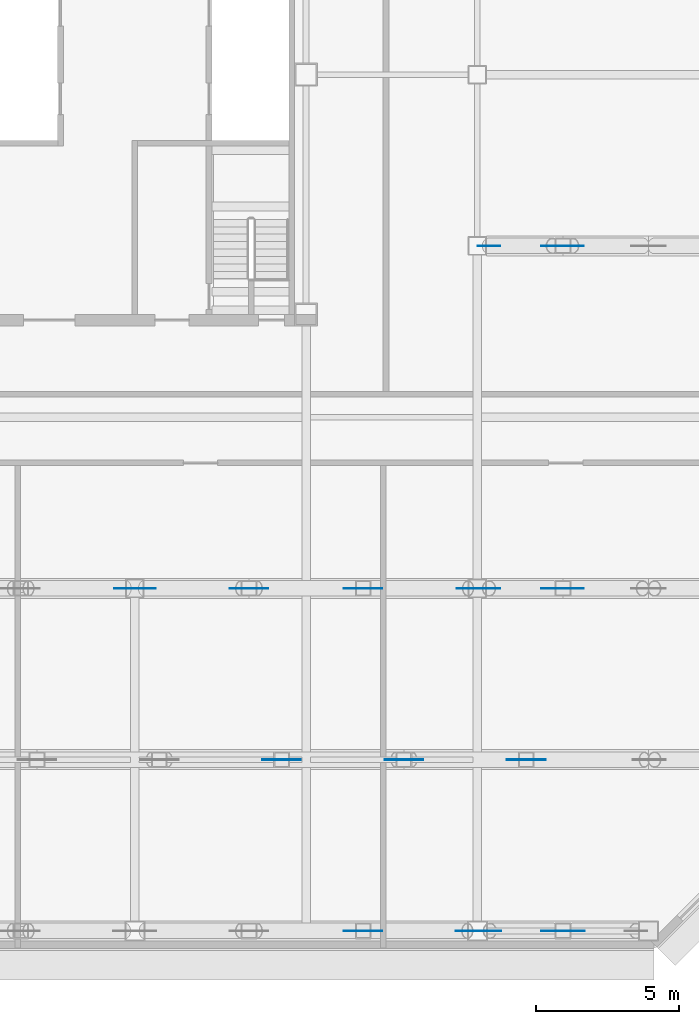
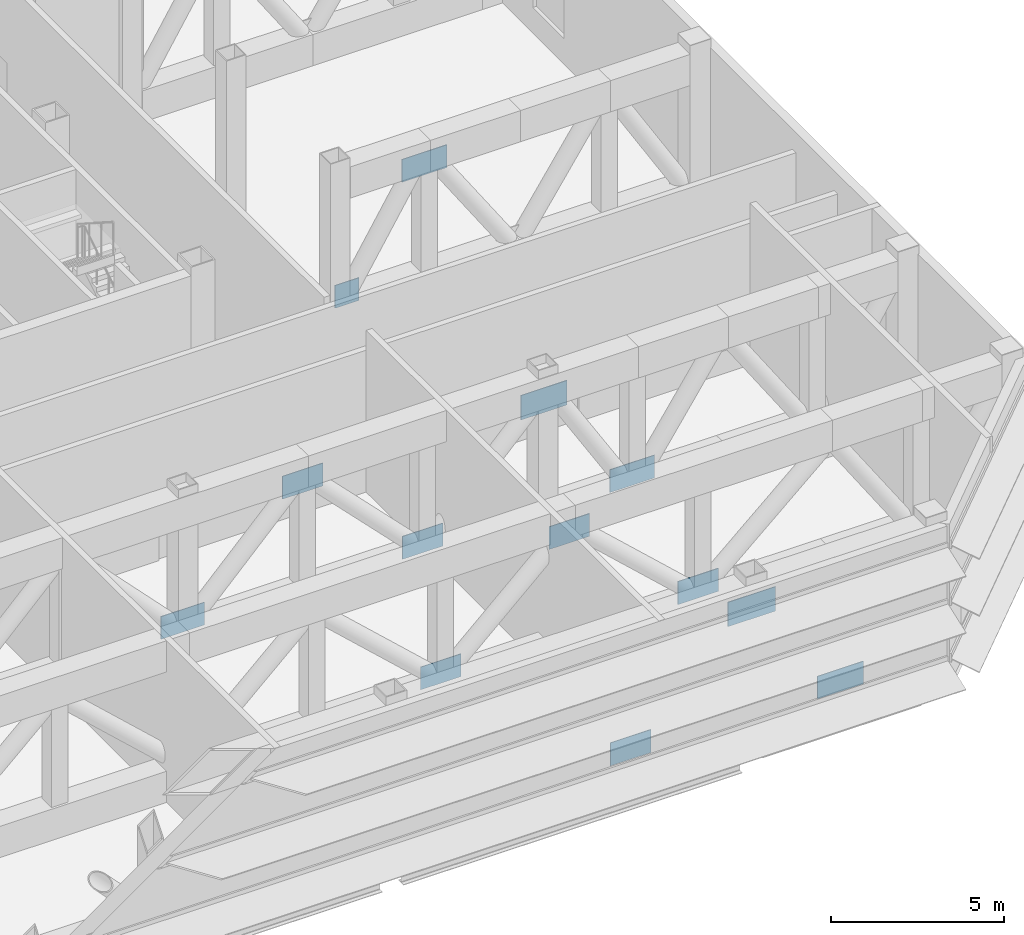
# One storey, part 12 of 17: 13 discrete accessories.
"""IFC4 building model written with IfcOpenShell, lengths in metres."""

from ifc_helpers import new_model, si_unit, direction, frame, origin, origin_2d, place, context, subcontext, project, spatial, rectangle, extrude, material, layer, layer_set, type_object, element, save


model = new_model("IFC4")

# Units and contexts
model_context = context("Model", 3, precision=1e-05, world=origin(), true_north=direction((0.0, 1.0)))
body_context = subcontext(model_context, "Body", "Model", "MODEL_VIEW")
ifc_project = project(units=[si_unit("LENGTHUNIT", "METRE"), si_unit("AREAUNIT", "SQUARE_METRE"), si_unit("VOLUMEUNIT", "CUBIC_METRE"), si_unit("PLANEANGLEUNIT", "RADIAN"), si_unit("MASSUNIT", "GRAM", prefix="KILO")], contexts=[model_context])

# Site, building, storey
site_placement = place(None, origin())
site = spatial("IfcSite", under=ifc_project, at=site_placement, CompositionType="ELEMENT")
building_placement = place(site_placement, origin())
building = spatial("IfcBuilding", under=site, at=building_placement, Name="Sorahane Residences", CompositionType="ELEMENT")
storey_placement = place(building_placement, frame((0.0, 0.0, 186.0)))
storey = spatial("IfcBuildingStorey", under=building, at=storey_placement, Name="L43", CompositionType="ELEMENT", Elevation=186.0)

# Discrete accessories
ifc_material = material(Name="Steel Q420GJ", Category="steel")
ifc_layer = layer(ifc_material, 0.02490234375)
ifc_layer_set = layer_set([ifc_layer], Name="Node plate Steel Q420GJ 25")
discrete_accessory_type = type_object("IfcDiscreteAccessoryType", Name="Node plate Steel Q420GJ 25", PredefinedType="BRACKET", material=ifc_layer_set)
discrete_accessory_1_placement = place(storey_placement, frame((44.0, 0.0, 0.68359375), z_axis=(0.0, 0.0, 1.0), x_axis=(1.0, 0.0, 0.0)))
element("IfcDiscreteAccessory", 1, at=discrete_accessory_1_placement, inside=storey, type_object=discrete_accessory_type, Name="Node plate L43 tr", PredefinedType="BRACKET", context=body_context, shape_type="SweptSolid", body=[
    extrude(rectangle(XDim=1.35009765625, YDim=0.02490234375, at=origin_2d()), origin(), (0.0, 0.0, 1.0), 0.81005859375),
])
discrete_accessory_2_placement = place(storey_placement, frame((51.0, 0.0, 0.62255859375), z_axis=(0.0, 0.0, 1.0), x_axis=(1.0, 0.0, 0.0)))
element("IfcDiscreteAccessory", 2, at=discrete_accessory_2_placement, inside=storey, type_object=discrete_accessory_type, Name="Node plate L43 tr", PredefinedType="BRACKET", context=body_context, shape_type="SweptSolid", body=[
    extrude(rectangle(XDim=1.5263671875, YDim=0.02490234375, at=origin_2d()), origin(), (0.0, 0.0, 1.0), 0.800048828125),
])
discrete_accessory_3_placement = place(storey_placement, frame((48.044189453125, 0.0, 4.21630859375), z_axis=(0.0, 0.0, 1.0), x_axis=(1.0, 0.0, 0.0)))
element("IfcDiscreteAccessory", 3, at=discrete_accessory_3_placement, inside=storey, type_object=discrete_accessory_type, Name="Node plate L43 tr", PredefinedType="BRACKET", context=body_context, shape_type="SweptSolid", body=[
    extrude(rectangle(XDim=1.588134765625, YDim=0.02490234375, at=origin_2d()), origin(), (0.0, 0.0, 1.0), 0.86083984375),
])
discrete_accessory_4_placement = place(storey_placement, frame((41.142822265625, 6.0, 0.72705078125), z_axis=(0.0, 0.0, 1.0), x_axis=(1.0, 0.0, 0.0)))
element("IfcDiscreteAccessory", 4, at=discrete_accessory_4_placement, inside=storey, type_object=discrete_accessory_type, Name="Node plate L43 tr", PredefinedType="BRACKET", context=body_context, shape_type="SweptSolid", body=[
    extrude(rectangle(XDim=1.35009765625, YDim=0.02490234375, at=origin_2d()), origin(), (0.0, 0.0, 1.0), 0.800048828125),
])
discrete_accessory_5_placement = place(storey_placement, frame((49.71435546875, 6.0, 0.727294921875), z_axis=(0.0, 0.0, 1.0), x_axis=(1.0, 0.0, 0.0)))
element("IfcDiscreteAccessory", 5, at=discrete_accessory_5_placement, inside=storey, type_object=discrete_accessory_type, Name="Node plate L43 tr", PredefinedType="BRACKET", context=body_context, shape_type="SweptSolid", body=[
    extrude(rectangle(XDim=1.35009765625, YDim=0.02490234375, at=origin_2d()), origin(), (0.0, 0.0, 1.0), 0.81298828125),
])
discrete_accessory_6_placement = place(storey_placement, frame((45.4287109375, 6.0, 4.1728515625), z_axis=(0.0, 0.0, 1.0), x_axis=(1.0, 0.0, 0.0)))
element("IfcDiscreteAccessory", 6, at=discrete_accessory_6_placement, inside=storey, type_object=discrete_accessory_type, Name="Node plate L43 tr", PredefinedType="BRACKET", context=body_context, shape_type="SweptSolid", body=[
    extrude(rectangle(XDim=1.35009765625, YDim=0.02490234375, at=origin_2d()), origin(), (0.0, 0.0, 1.0), 0.800048828125),
])
discrete_accessory_7_placement = place(storey_placement, frame((36.0, 12.0, 0.68701171875), z_axis=(0.0, 0.0, 1.0), x_axis=(1.0, 0.0, 0.0)))
element("IfcDiscreteAccessory", 7, at=discrete_accessory_7_placement, inside=storey, type_object=discrete_accessory_type, Name="Node plate L43 tr", PredefinedType="BRACKET", context=body_context, shape_type="SweptSolid", body=[
    extrude(rectangle(XDim=1.449951171875, YDim=0.02490234375, at=origin_2d()), origin(), (0.0, 0.0, 1.0), 0.800048828125),
])
discrete_accessory_8_placement = place(storey_placement, frame((44.0, 12.0, 0.68701171875), z_axis=(0.0, 0.0, 1.0), x_axis=(1.0, 0.0, 0.0)))
element("IfcDiscreteAccessory", 8, at=discrete_accessory_8_placement, inside=storey, type_object=discrete_accessory_type, Name="Node plate L43 tr", PredefinedType="BRACKET", context=body_context, shape_type="SweptSolid", body=[
    extrude(rectangle(XDim=1.35009765625, YDim=0.02490234375, at=origin_2d()), origin(), (0.0, 0.0, 1.0), 0.806640625),
])
discrete_accessory_9_placement = place(storey_placement, frame((50.986328125, 12.0, 0.61865234375), z_axis=(0.0, 0.0, 1.0), x_axis=(1.0, 0.0, 0.0)))
element("IfcDiscreteAccessory", 9, at=discrete_accessory_9_placement, inside=storey, type_object=discrete_accessory_type, Name="Node plate L43 tr", PredefinedType="BRACKET", context=body_context, shape_type="SweptSolid", body=[
    extrude(rectangle(XDim=1.49169921875, YDim=0.02490234375, at=origin_2d()), origin(), (0.0, 0.0, 1.0), 0.8037109375),
])
discrete_accessory_10_placement = place(storey_placement, frame((40.0, 12.0, 4.206298828125), z_axis=(0.0, 0.0, 1.0), x_axis=(1.0, 0.0, 0.0)))
element("IfcDiscreteAccessory", 10, at=discrete_accessory_10_placement, inside=storey, type_object=discrete_accessory_type, Name="Node plate L43 tr", PredefinedType="BRACKET", context=body_context, shape_type="SweptSolid", body=[
    extrude(rectangle(XDim=1.35009765625, YDim=0.02490234375, at=origin_2d()), origin(), (0.0, 0.0, 1.0), 0.806640625),
])
discrete_accessory_11_placement = place(storey_placement, frame((48.042236328125, 12.0, 4.212890625), z_axis=(0.0, 0.0, 1.0), x_axis=(1.0, 0.0, 0.0)))
element("IfcDiscreteAccessory", 11, at=discrete_accessory_11_placement, inside=storey, type_object=discrete_accessory_type, Name="Node plate L43 tr", PredefinedType="BRACKET", context=body_context, shape_type="SweptSolid", body=[
    extrude(rectangle(XDim=1.534423828125, YDim=0.02490234375, at=origin_2d()), origin(), (0.0, 0.0, 1.0), 0.86474609375),
])
discrete_accessory_12_placement = place(storey_placement, frame((48.409423828125, 24.0, 0.6220703125), z_axis=(0.0, 0.0, 1.0), x_axis=(1.0, 0.0, 0.0)))
element("IfcDiscreteAccessory", 12, at=discrete_accessory_12_placement, inside=storey, type_object=discrete_accessory_type, Name="Node plate L43 tr", PredefinedType="BRACKET", context=body_context, shape_type="SweptSolid", body=[
    extrude(rectangle(XDim=0.800048828125, YDim=0.02490234375, at=origin_2d()), origin(), (0.0, 0.0, 1.0), 0.800048828125),
])
discrete_accessory_13_placement = place(storey_placement, frame((50.986328125, 24.0, 4.27783203125), z_axis=(0.0, 0.0, 1.0), x_axis=(1.0, 0.0, 0.0)))
element("IfcDiscreteAccessory", 13, at=discrete_accessory_13_placement, inside=storey, type_object=discrete_accessory_type, Name="Node plate L43 tr", PredefinedType="BRACKET", context=body_context, shape_type="SweptSolid", body=[
    extrude(rectangle(XDim=1.49169921875, YDim=0.02490234375, at=origin_2d()), origin(), (0.0, 0.0, 1.0), 0.8037109375),
])

save(model, "model.ifc")
